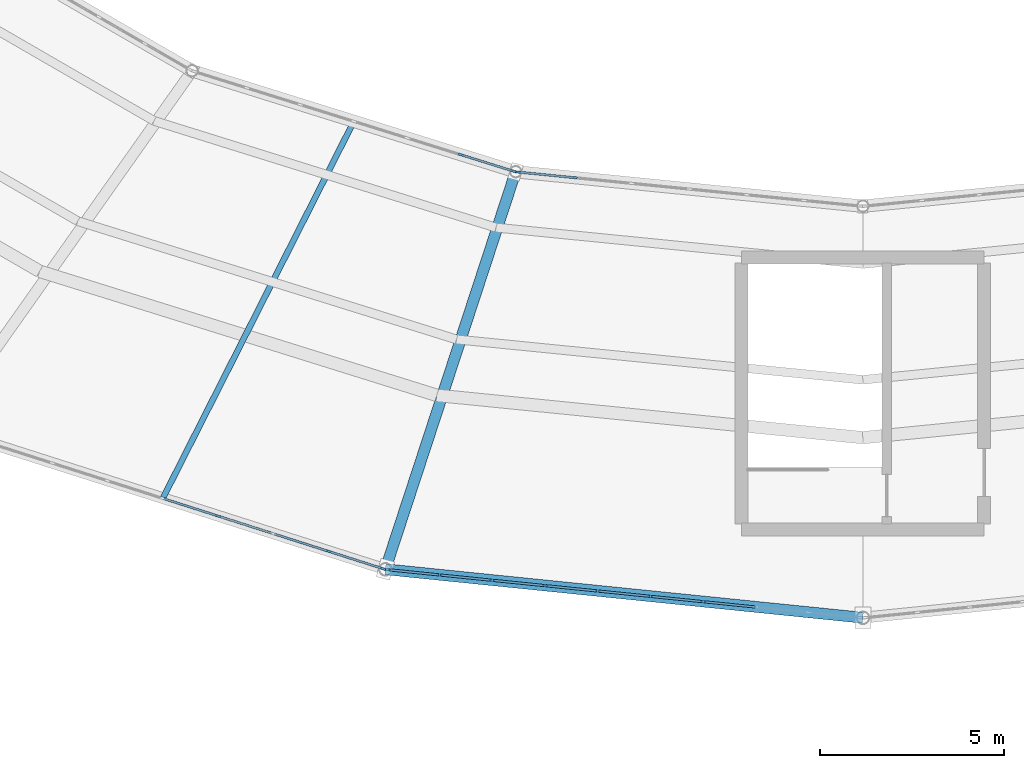
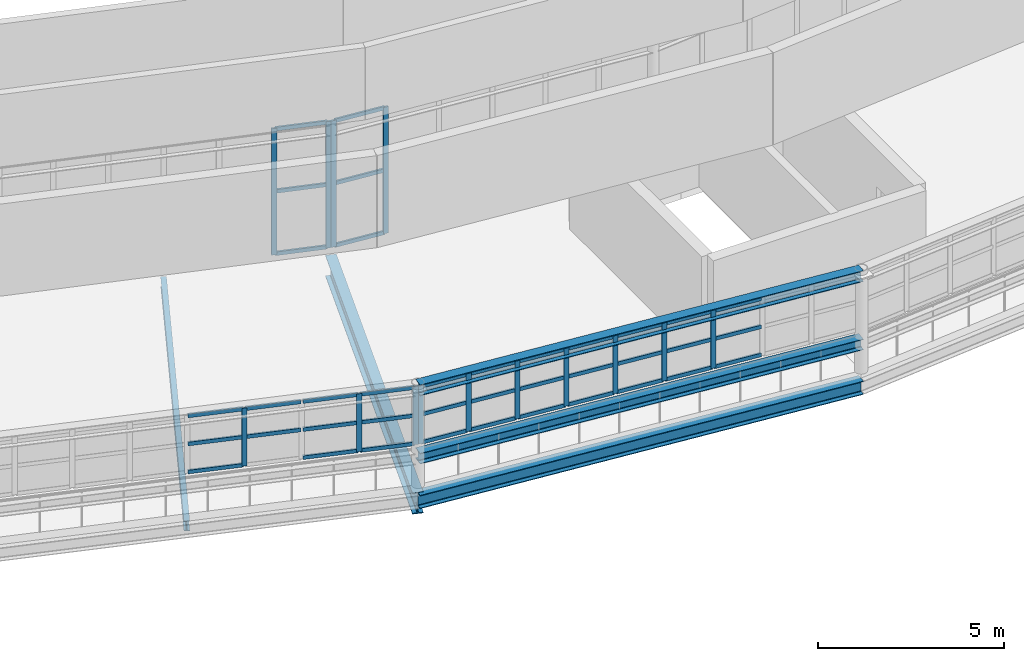
# One storey, part 34 of 123: 52 members, 5 beams, 4 elements without a shape of their own.
"""IFC4 building model written with IfcOpenShell, lengths in metres."""

from ifc_helpers import new_model, si_unit, direction, frame, origin, origin_2d, place, context, subcontext, project, spatial, rectangle, i_section, extrude, material, material_profile, profile_set, type_object, element, aggregate, save


model = new_model("IFC4")

# Units and contexts
model_context = context("Model", 3, precision=1e-05, world=origin(), true_north=direction((0.0, 1.0)))
body_context = subcontext(model_context, "Body", "Model", "MODEL_VIEW")
ifc_project = project(units=[si_unit("LENGTHUNIT", "METRE"), si_unit("AREAUNIT", "SQUARE_METRE"), si_unit("VOLUMEUNIT", "CUBIC_METRE"), si_unit("PLANEANGLEUNIT", "RADIAN"), si_unit("MASSUNIT", "GRAM", prefix="KILO")], contexts=[model_context])

# Site, building, storey
site_placement = place(None, origin())
site = spatial("IfcSite", under=ifc_project, at=site_placement, CompositionType="ELEMENT")
building_placement = place(site_placement, origin())
building = spatial("IfcBuilding", under=site, at=building_placement, Name="Kildeholm Park Wholesale Market", CompositionType="ELEMENT")
storey_placement = place(building_placement, frame((0.0, 0.0, 9.60009765625)))
storey = spatial("IfcBuildingStorey", under=building, at=storey_placement, Name="L02", CompositionType="ELEMENT", Elevation=9.60009765625)

# Beams
ifc_material_1 = material(Name="Steel S355", Category="steel")
ifc_material_profile_1 = material_profile(ifc_material_1, i_section(OverallWidth=0.300048828125, OverallDepth=0.699951171875, WebThickness=0.01708984375, FlangeThickness=0.031982421875, FilletRadius=0.027099609375, at=origin_2d()), Name="HEB 700")
ifc_profile_set_1 = profile_set([ifc_material_profile_1], Name="Steel S355")
beam_type_1 = type_object("IfcBeamType", Name="Beam B-G01 HEB 700", PredefinedType="BEAM", material=ifc_profile_set_1)
beam_1_placement = place(storey_placement, frame((89.552978515625, 62.93701171875, -0.60009765625), z_axis=(-0.31146940438, -0.950256181319, 0.0), x_axis=(0.950256181319, -0.31146940438, 0.0)))
element("IfcBeam", 1, at=beam_1_placement, inside=storey, type_object=beam_type_1, Name="Beam BM-V1-L02-R1-17 BM-0156", PredefinedType="BEAM", context=body_context, shape_type="SweptSolid", body=[
    extrude(i_section(OverallWidth=0.300048828125, OverallDepth=0.699951171875, WebThickness=0.01708984375, FlangeThickness=0.031982421875, FilletRadius=0.027099609375, at=origin_2d()), origin(), (0.0, 0.0, 1.0), 11.384521484375),
])
ifc_material_profile_2 = material_profile(ifc_material_1, i_section(OverallWidth=0.300048828125, OverallDepth=0.35009765625, WebThickness=0.010009765625, FlangeThickness=0.017578125, FilletRadius=0.027099609375, at=origin_2d()), Name="HEA 360")
ifc_profile_set_2 = profile_set([ifc_material_profile_2], Name="Steel S355")
beam_type_2 = type_object("IfcBeamType", Name="Beam B-R01 HEA 360", PredefinedType="BEAM", material=ifc_profile_set_2)
beam_2_placement = place(storey_placement, frame((86.007080078125, 52.118896484375, 0.947265625), z_axis=(0.994887827563, -0.100986189979, 0.0), x_axis=(0.100986189979, 0.994887827563, 0.0)))
element("IfcBeam", 2, at=beam_2_placement, inside=storey, type_object=beam_type_2, Name="Beam BM-V1-S1IN-17 BM-0323", PredefinedType="BEAM", context=body_context, shape_type="SweptSolid", body=[
    extrude(i_section(OverallWidth=0.300048828125, OverallDepth=0.35009765625, WebThickness=0.010009765625, FlangeThickness=0.017578125, FilletRadius=0.027099609375, at=origin_2d()), origin(), (0.0, 0.0, 1.0), 13.0595703125),
])
ifc_material_profile_3 = material_profile(ifc_material_1, i_section(OverallWidth=0.300048828125, OverallDepth=0.43994140625, WebThickness=0.011474609375, FlangeThickness=0.02099609375, FilletRadius=0.027099609375, at=origin_2d()), Name="HEA 450")
ifc_profile_set_3 = profile_set([ifc_material_profile_3], Name="Steel S355")
beam_type_3 = type_object("IfcBeamType", Name="Beam B-R02 HEA 450", PredefinedType="BEAM", material=ifc_profile_set_3)
beam_3_placement = place(storey_placement, frame((86.007080078125, 52.118896484375, -0.47412109375), z_axis=(0.994887827563, -0.100986189979, 0.0), x_axis=(0.100986189979, 0.994887827563, 0.0)))
element("IfcBeam", 3, at=beam_3_placement, inside=storey, type_object=beam_type_3, Name="Beam BM-V1-L02-CM-17 BM-0162", PredefinedType="BEAM", context=body_context, shape_type="SweptSolid", body=[
    extrude(i_section(OverallWidth=0.300048828125, OverallDepth=0.43994140625, WebThickness=0.011474609375, FlangeThickness=0.02099609375, FilletRadius=0.027099609375, at=origin_2d()), origin(), (0.0, 0.0, 1.0), 13.0595703125),
])
ifc_material_profile_4 = material_profile(ifc_material_1, i_section(OverallWidth=0.300048828125, OverallDepth=0.360107421875, WebThickness=0.012451171875, FlangeThickness=0.0224609375, FilletRadius=0.027099609375, at=origin_2d()), Name="HEB 360")
ifc_profile_set_4 = profile_set([ifc_material_profile_4], Name="Steel S355")
beam_type_4 = type_object("IfcBeamType", Name="Beam B-R03 HEB 360", PredefinedType="BEAM", material=ifc_profile_set_4)
beam_4_placement = place(storey_placement, frame((86.007080078125, 52.118896484375, 3.189453125), z_axis=(0.994887827563, -0.100986189979, 0.0), x_axis=(0.100986189979, 0.994887827563, 0.0)))
element("IfcBeam", 4, at=beam_4_placement, inside=storey, type_object=beam_type_4, Name="Beam BM-V1-RF-M1-17 BM-0324", PredefinedType="BEAM", context=body_context, shape_type="SweptSolid", body=[
    extrude(i_section(OverallWidth=0.300048828125, OverallDepth=0.360107421875, WebThickness=0.012451171875, FlangeThickness=0.0224609375, FilletRadius=0.027099609375, at=origin_2d()), origin(), (0.0, 0.0, 1.0), 13.0595703125),
])
ifc_material_profile_5 = material_profile(ifc_material_1, i_section(OverallWidth=0.159912109375, OverallDepth=0.330078125, WebThickness=0.007568359375, FlangeThickness=0.011474609375, FilletRadius=0.01806640625, at=origin_2d()), Name="IPE 330")
ifc_profile_set_5 = profile_set([ifc_material_profile_5], Name="Steel S355")
beam_type_5 = type_object("IfcBeamType", Name="Beam J-03 IPE 330", PredefinedType="JOIST", material=ifc_profile_set_5)
beam_5_placement = place(storey_placement, frame((85.142578125, 64.292724609375, -0.4150390625), z_axis=(-0.452004571782, -0.892015620428, 0.0), x_axis=(0.892015620428, -0.452004571782, 0.0)))
element("IfcBeam", 5, at=beam_5_placement, inside=storey, type_object=beam_type_5, Name="Beam JT-V1-L02-16 BM-0154", PredefinedType="JOIST", context=body_context, shape_type="SweptSolid", body=[
    extrude(i_section(OverallWidth=0.159912109375, OverallDepth=0.330078125, WebThickness=0.007568359375, FlangeThickness=0.011474609375, FilletRadius=0.01806640625, at=origin_2d()), origin(), (0.0, 0.0, 1.0), 11.46044921875),
])

# Curtain wall, members
ifc_material_2 = material(Name="Anodised aluminium and low-E double-glazed glass", Category="aluminium")
curtain_wall_type = type_object("IfcCurtainWallType", Name="Clerestory daylight stick curtain wall CW-02", PredefinedType="NOTDEFINED", material=ifc_material_2)
curtain_wall_1_placement = place(storey_placement, origin())
curtain_wall_1 = element("IfcCurtainWall", 6, at=curtain_wall_1_placement, inside=storey, type_object=curtain_wall_type, Name="Curtain wall CW-V1-CL-16 CW-0080", PredefinedType="NOTDEFINED")
ifc_material_3 = material(Name="Anodised aluminium", Category="aluminium")
ifc_material_profile_6 = material_profile(ifc_material_3, rectangle(XDim=0.06005859375, YDim=0.14990234375, at=origin_2d()), Name="CWM 60x150")
ifc_profile_set_6 = profile_set([ifc_material_profile_6], Name="Anodised aluminium")
member_type_1 = type_object("IfcMemberType", Name="Curtain-wall mullion CWM-3 CWM 60x150", PredefinedType="MULLION", material=ifc_profile_set_6)
member_1_placement = place(storey_placement, frame((81.455322265625, 53.56787109375, 1.349853515625), z_axis=(0.0, 0.0, 1.0), x_axis=(0.304206822997, 0.952606009241, 0.0)))
member_1 = element("IfcMember", 7, at=member_1_placement, type_object=member_type_1, Name="CW-02 mullion 6 MEM-2566", PredefinedType="MULLION", context=body_context, shape_type="SweptSolid", body=[
    extrude(rectangle(XDim=0.06005859375, YDim=0.14990234375, at=origin_2d()), origin(), (0.0, 0.0, 1.0), 1.900146484375),
])
member_2_placement = place(storey_placement, frame((84.463134765625, 52.607177734375, 1.349853515625), z_axis=(0.0, 0.0, 1.0), x_axis=(0.304206822997, 0.952606009241, 0.0)))
member_2 = element("IfcMember", 8, at=member_2_placement, type_object=member_type_1, Name="CW-02 mullion 8 MEM-2568", PredefinedType="MULLION", context=body_context, shape_type="SweptSolid", body=[
    extrude(rectangle(XDim=0.06005859375, YDim=0.14990234375, at=origin_2d()), origin(), (0.0, 0.0, 1.0), 1.900146484375),
])
member_3_placement = place(storey_placement, frame((85.9384765625, 52.13623046875, 1.349853515625), z_axis=(0.0, 0.0, 1.0), x_axis=(0.304206822997, 0.952606009241, 0.0)))
member_3 = element("IfcMember", 9, at=member_3_placement, type_object=member_type_1, Name="CW-02 mullion 9 MEM-2569", PredefinedType="MULLION", context=body_context, shape_type="SweptSolid", body=[
    extrude(rectangle(XDim=0.06005859375, YDim=0.14990234375, at=origin_2d()), origin(), (0.0, 0.0, 1.0), 1.900146484375),
])

curtain_wall_2_placement = place(storey_placement, origin())
curtain_wall_2 = element("IfcCurtainWall", 10, at=curtain_wall_2_placement, inside=storey, type_object=curtain_wall_type, Name="Curtain wall CW-V1-IN2-16 CW-0083", PredefinedType="NOTDEFINED")
member_4_placement = place(storey_placement, frame((88.05859375, 63.39892578125, 0.0), z_axis=(0.0, 0.0, 1.0), x_axis=(0.297957339818, 0.954579186683, 0.0)))
member_4 = element("IfcMember", 11, at=member_4_placement, type_object=member_type_1, Name="CW-02 mullion 6 MEM-2649", PredefinedType="MULLION", context=body_context, shape_type="SweptSolid", body=[
    extrude(rectangle(XDim=0.06005859375, YDim=0.14990234375, at=origin_2d()), origin(), (0.0, 0.0, 1.0), 4.14990234375),
])
member_5_placement = place(storey_placement, frame((89.484375, 62.953857421875, 0.0), z_axis=(0.0, 0.0, 1.0), x_axis=(0.297957339818, 0.954579186683, 0.0)))
member_5 = element("IfcMember", 12, at=member_5_placement, type_object=member_type_1, Name="CW-02 mullion 7 MEM-2650", PredefinedType="MULLION", context=body_context, shape_type="SweptSolid", body=[
    extrude(rectangle(XDim=0.06005859375, YDim=0.14990234375, at=origin_2d()), origin(), (0.0, 0.0, 1.0), 4.14990234375),
])

curtain_wall_3_placement = place(storey_placement, origin())
curtain_wall_3 = element("IfcCurtainWall", 13, at=curtain_wall_3_placement, inside=storey, type_object=curtain_wall_type, Name="Curtain wall CW-V1-CL-17 CW-0085", PredefinedType="NOTDEFINED")
member_6_placement = place(storey_placement, frame((86.075927734375, 52.10791015625, 1.349853515625), z_axis=(0.0, 0.0, 1.0), x_axis=(0.100998628351, 0.994886564926, 0.0)))
member_6 = element("IfcMember", 14, at=member_6_placement, type_object=member_type_1, Name="CW-02 mullion 1 MEM-2710", PredefinedType="MULLION", context=body_context, shape_type="SweptSolid", body=[
    extrude(rectangle(XDim=0.06005859375, YDim=0.14990234375, at=origin_2d()), origin(), (0.0, 0.0, 1.0), 1.900146484375),
])
member_7_placement = place(storey_placement, frame((87.48095703125, 51.96533203125, 1.349853515625), z_axis=(0.0, 0.0, 1.0), x_axis=(0.100998628351, 0.994886564926, 0.0)))
member_7 = element("IfcMember", 15, at=member_7_placement, type_object=member_type_1, Name="CW-02 mullion 2 MEM-2711", PredefinedType="MULLION", context=body_context, shape_type="SweptSolid", body=[
    extrude(rectangle(XDim=0.06005859375, YDim=0.14990234375, at=origin_2d()), origin(), (0.0, 0.0, 1.0), 1.900146484375),
])
member_8_placement = place(storey_placement, frame((88.915771484375, 51.819580078125, 1.349853515625), z_axis=(0.0, 0.0, 1.0), x_axis=(0.100998628351, 0.994886564926, 0.0)))
member_8 = element("IfcMember", 16, at=member_8_placement, type_object=member_type_1, Name="CW-02 mullion 3 MEM-2712", PredefinedType="MULLION", context=body_context, shape_type="SweptSolid", body=[
    extrude(rectangle(XDim=0.06005859375, YDim=0.14990234375, at=origin_2d()), origin(), (0.0, 0.0, 1.0), 1.900146484375),
])
member_9_placement = place(storey_placement, frame((90.3505859375, 51.674072265625, 1.349853515625), z_axis=(0.0, 0.0, 1.0), x_axis=(0.100998628351, 0.994886564926, 0.0)))
member_9 = element("IfcMember", 17, at=member_9_placement, type_object=member_type_1, Name="CW-02 mullion 4 MEM-2713", PredefinedType="MULLION", context=body_context, shape_type="SweptSolid", body=[
    extrude(rectangle(XDim=0.06005859375, YDim=0.14990234375, at=origin_2d()), origin(), (0.0, 0.0, 1.0), 1.900146484375),
])
member_10_placement = place(storey_placement, frame((91.78564453125, 51.5283203125, 1.349853515625), z_axis=(0.0, 0.0, 1.0), x_axis=(0.100998628351, 0.994886564926, 0.0)))
member_10 = element("IfcMember", 18, at=member_10_placement, type_object=member_type_1, Name="CW-02 mullion 5 MEM-2714", PredefinedType="MULLION", context=body_context, shape_type="SweptSolid", body=[
    extrude(rectangle(XDim=0.06005859375, YDim=0.14990234375, at=origin_2d()), origin(), (0.0, 0.0, 1.0), 1.900146484375),
])
member_11_placement = place(storey_placement, frame((93.220458984375, 51.382568359375, 1.349853515625), z_axis=(0.0, 0.0, 1.0), x_axis=(0.100998628351, 0.994886564926, 0.0)))
member_11 = element("IfcMember", 19, at=member_11_placement, type_object=member_type_1, Name="CW-02 mullion 6 MEM-2715", PredefinedType="MULLION", context=body_context, shape_type="SweptSolid", body=[
    extrude(rectangle(XDim=0.06005859375, YDim=0.14990234375, at=origin_2d()), origin(), (0.0, 0.0, 1.0), 1.900146484375),
])
member_12_placement = place(storey_placement, frame((94.6552734375, 51.237060546875, 1.349853515625), z_axis=(0.0, 0.0, 1.0), x_axis=(0.100998628351, 0.994886564926, 0.0)))
member_12 = element("IfcMember", 20, at=member_12_placement, type_object=member_type_1, Name="CW-02 mullion 7 MEM-2716", PredefinedType="MULLION", context=body_context, shape_type="SweptSolid", body=[
    extrude(rectangle(XDim=0.06005859375, YDim=0.14990234375, at=origin_2d()), origin(), (0.0, 0.0, 1.0), 1.900146484375),
])

curtain_wall_4_placement = place(storey_placement, origin())
curtain_wall_4 = element("IfcCurtainWall", 21, at=curtain_wall_4_placement, inside=storey, type_object=curtain_wall_type, Name="Curtain wall CW-V1-IN2-17 CW-0088", PredefinedType="NOTDEFINED")
member_13_placement = place(storey_placement, frame((89.621826171875, 62.926025390625, 0.0), z_axis=(0.0, 0.0, 1.0), x_axis=(0.098683331174, 0.995118887444, 0.0)))
member_13 = element("IfcMember", 22, at=member_13_placement, type_object=member_type_1, Name="CW-02 mullion 1 MEM-2797", PredefinedType="MULLION", context=body_context, shape_type="SweptSolid", body=[
    extrude(rectangle(XDim=0.06005859375, YDim=0.14990234375, at=origin_2d()), origin(), (0.0, 0.0, 1.0), 4.14990234375),
])
member_14_placement = place(storey_placement, frame((91.1533203125, 62.774169921875, 0.0), z_axis=(0.0, 0.0, 1.0), x_axis=(0.098683331174, 0.995118887444, 0.0)))
member_14 = element("IfcMember", 23, at=member_14_placement, type_object=member_type_1, Name="CW-02 mullion 2 MEM-2798", PredefinedType="MULLION", context=body_context, shape_type="SweptSolid", body=[
    extrude(rectangle(XDim=0.06005859375, YDim=0.14990234375, at=origin_2d()), origin(), (0.0, 0.0, 1.0), 4.14990234375),
])

# Member
ifc_material_profile_7 = material_profile(ifc_material_3, rectangle(XDim=0.06005859375, YDim=0.1201171875, at=origin_2d()), Name="CWT 60x120")
ifc_profile_set_7 = profile_set([ifc_material_profile_7], Name="Anodised aluminium")
member_type_2 = type_object("IfcMemberType", Name="Curtain-wall transom CWT-3 CWT 60x120", PredefinedType="USERDEFINED", material=ifc_profile_set_7)
member_15_placement = place(storey_placement, frame((79.97998046875, 54.038818359375, 1.3798828125), z_axis=(0.952625522419, -0.304145711849, 0.0), x_axis=(0.304145711849, 0.952625522419, 0.0)))
member_15 = element("IfcMember", 24, at=member_15_placement, type_object=member_type_2, Name="CW-02 transom 5.1 MEM-2582", ObjectType="TRANSOM", PredefinedType="USERDEFINED", context=body_context, shape_type="SweptSolid", body=[
    extrude(rectangle(XDim=0.06005859375, YDim=0.1201171875, at=origin_2d()), origin(), (0.0, 0.0, 1.0), 1.518798828125),
])

member_16_placement = place(storey_placement, frame((79.97998046875, 54.038818359375, 2.2998046875), z_axis=(0.952625522419, -0.304145711849, 0.0), x_axis=(0.304145711849, 0.952625522419, 0.0)))
member_16 = element("IfcMember", 25, at=member_16_placement, type_object=member_type_2, Name="CW-02 transom 5.2 MEM-2583", ObjectType="TRANSOM", PredefinedType="USERDEFINED", context=body_context, shape_type="SweptSolid", body=[
    extrude(rectangle(XDim=0.06005859375, YDim=0.1201171875, at=origin_2d()), origin(), (0.0, 0.0, 1.0), 1.518798828125),
])

member_17_placement = place(storey_placement, frame((79.97998046875, 54.038818359375, 3.219970703125), z_axis=(0.952625522419, -0.304145711849, 0.0), x_axis=(0.304145711849, 0.952625522419, 0.0)))
member_17 = element("IfcMember", 26, at=member_17_placement, type_object=member_type_2, Name="CW-02 transom 5.3 MEM-2584", ObjectType="TRANSOM", PredefinedType="USERDEFINED", context=body_context, shape_type="SweptSolid", body=[
    extrude(rectangle(XDim=0.06005859375, YDim=0.1201171875, at=origin_2d()), origin(), (0.0, 0.0, 1.0), 1.518798828125),
])

member_18_placement = place(storey_placement, frame((81.48388671875, 53.55859375, 2.2998046875), z_axis=(0.952625522419, -0.304145711849, 0.0), x_axis=(0.304145711849, 0.952625522419, 0.0)))
member_18 = element("IfcMember", 27, at=member_18_placement, type_object=member_type_2, Name="CW-02 transom 6.2 MEM-2586", ObjectType="TRANSOM", PredefinedType="USERDEFINED", context=body_context, shape_type="SweptSolid", body=[
    extrude(rectangle(XDim=0.06005859375, YDim=0.1201171875, at=origin_2d()), origin(), (0.0, 0.0, 1.0), 1.518798828125),
])

member_19_placement = place(storey_placement, frame((81.48388671875, 53.55859375, 3.219970703125), z_axis=(0.952625522419, -0.304145711849, 0.0), x_axis=(0.304145711849, 0.952625522419, 0.0)))
member_19 = element("IfcMember", 28, at=member_19_placement, type_object=member_type_2, Name="CW-02 transom 6.3 MEM-2587", ObjectType="TRANSOM", PredefinedType="USERDEFINED", context=body_context, shape_type="SweptSolid", body=[
    extrude(rectangle(XDim=0.06005859375, YDim=0.1201171875, at=origin_2d()), origin(), (0.0, 0.0, 1.0), 1.518798828125),
])

member_20_placement = place(storey_placement, frame((82.98779296875, 53.078369140625, 1.3798828125), z_axis=(0.952625522419, -0.304145711849, 0.0), x_axis=(0.304145711849, 0.952625522419, 0.0)))
member_20 = element("IfcMember", 29, at=member_20_placement, type_object=member_type_2, Name="CW-02 transom 7.1 MEM-2588", ObjectType="TRANSOM", PredefinedType="USERDEFINED", context=body_context, shape_type="SweptSolid", body=[
    extrude(rectangle(XDim=0.06005859375, YDim=0.1201171875, at=origin_2d()), origin(), (0.0, 0.0, 1.0), 1.518798828125),
])

member_21_placement = place(storey_placement, frame((82.98779296875, 53.078369140625, 2.2998046875), z_axis=(0.952625522419, -0.304145711849, 0.0), x_axis=(0.304145711849, 0.952625522419, 0.0)))
member_21 = element("IfcMember", 30, at=member_21_placement, type_object=member_type_2, Name="CW-02 transom 7.2 MEM-2589", ObjectType="TRANSOM", PredefinedType="USERDEFINED", context=body_context, shape_type="SweptSolid", body=[
    extrude(rectangle(XDim=0.06005859375, YDim=0.1201171875, at=origin_2d()), origin(), (0.0, 0.0, 1.0), 1.518798828125),
])

member_22_placement = place(storey_placement, frame((82.98779296875, 53.078369140625, 3.219970703125), z_axis=(0.952625522419, -0.304145711849, 0.0), x_axis=(0.304145711849, 0.952625522419, 0.0)))
member_22 = element("IfcMember", 31, at=member_22_placement, type_object=member_type_2, Name="CW-02 transom 7.3 MEM-2590", ObjectType="TRANSOM", PredefinedType="USERDEFINED", context=body_context, shape_type="SweptSolid", body=[
    extrude(rectangle(XDim=0.06005859375, YDim=0.1201171875, at=origin_2d()), origin(), (0.0, 0.0, 1.0), 1.518798828125),
])

member_23_placement = place(storey_placement, frame((84.49169921875, 52.59814453125, 1.3798828125), z_axis=(0.952608667533, -0.304198498584, 0.0), x_axis=(0.304198498584, 0.952608667533, 0.0)))
member_23 = element("IfcMember", 32, at=member_23_placement, type_object=member_type_2, Name="CW-02 transom 8.1 MEM-2591", ObjectType="TRANSOM", PredefinedType="USERDEFINED", context=body_context, shape_type="SweptSolid", body=[
    extrude(rectangle(XDim=0.06005859375, YDim=0.1201171875, at=origin_2d()), origin(), (0.0, 0.0, 1.0), 1.48876953125),
])

member_24_placement = place(storey_placement, frame((84.49169921875, 52.59814453125, 2.2998046875), z_axis=(0.952608667533, -0.304198498584, 0.0), x_axis=(0.304198498584, 0.952608667533, 0.0)))
member_24 = element("IfcMember", 33, at=member_24_placement, type_object=member_type_2, Name="CW-02 transom 8.2 MEM-2592", ObjectType="TRANSOM", PredefinedType="USERDEFINED", context=body_context, shape_type="SweptSolid", body=[
    extrude(rectangle(XDim=0.06005859375, YDim=0.1201171875, at=origin_2d()), origin(), (0.0, 0.0, 1.0), 1.48876953125),
])

member_25_placement = place(storey_placement, frame((84.49169921875, 52.59814453125, 3.219970703125), z_axis=(0.952608667533, -0.304198498584, 0.0), x_axis=(0.304198498584, 0.952608667533, 0.0)))
member_25 = element("IfcMember", 34, at=member_25_placement, type_object=member_type_2, Name="CW-02 transom 8.3 MEM-2593", ObjectType="TRANSOM", PredefinedType="USERDEFINED", context=body_context, shape_type="SweptSolid", body=[
    extrude(rectangle(XDim=0.06005859375, YDim=0.1201171875, at=origin_2d()), origin(), (0.0, 0.0, 1.0), 1.48876953125),
])

aggregate(curtain_wall_1, [member_1, member_2, member_3, member_15, member_16, member_17, member_18, member_19, member_20, member_21, member_22, member_23, member_24, member_25])

member_26_placement = place(storey_placement, frame((88.087158203125, 63.39013671875, 0.02978515625), z_axis=(0.954570828719, -0.29798411528, 0.0), x_axis=(0.29798411528, 0.954570828719, 0.0)))
member_26 = element("IfcMember", 35, at=member_26_placement, type_object=member_type_2, Name="CW-02 transom 6.1 MEM-2666", ObjectType="TRANSOM", PredefinedType="USERDEFINED", context=body_context, shape_type="SweptSolid", body=[
    extrude(rectangle(XDim=0.06005859375, YDim=0.1201171875, at=origin_2d()), origin(), (0.0, 0.0, 1.0), 1.433837890625),
])

member_27_placement = place(storey_placement, frame((88.087158203125, 63.39013671875, 2.074951171875), z_axis=(0.954570828719, -0.29798411528, 0.0), x_axis=(0.29798411528, 0.954570828719, 0.0)))
member_27 = element("IfcMember", 36, at=member_27_placement, type_object=member_type_2, Name="CW-02 transom 6.2 MEM-2667", ObjectType="TRANSOM", PredefinedType="USERDEFINED", context=body_context, shape_type="SweptSolid", body=[
    extrude(rectangle(XDim=0.06005859375, YDim=0.1201171875, at=origin_2d()), origin(), (0.0, 0.0, 1.0), 1.433837890625),
])

member_28_placement = place(storey_placement, frame((88.087158203125, 63.39013671875, 4.119873046875), z_axis=(0.954570828719, -0.29798411528, 0.0), x_axis=(0.29798411528, 0.954570828719, 0.0)))
member_28 = element("IfcMember", 37, at=member_28_placement, type_object=member_type_2, Name="CW-02 transom 6.3 MEM-2668", ObjectType="TRANSOM", PredefinedType="USERDEFINED", context=body_context, shape_type="SweptSolid", body=[
    extrude(rectangle(XDim=0.06005859375, YDim=0.1201171875, at=origin_2d()), origin(), (0.0, 0.0, 1.0), 1.433837890625),
])

aggregate(curtain_wall_2, [member_4, member_5, member_26, member_27, member_28])

member_29_placement = place(storey_placement, frame((86.105712890625, 52.10498046875, 1.3798828125), z_axis=(0.994874996086, -0.101112522288, 0.0), x_axis=(0.101112522288, 0.994874996086, 0.0)))
member_29 = element("IfcMember", 38, at=member_29_placement, type_object=member_type_2, Name="CW-02 transom 1.1 MEM-2720", ObjectType="TRANSOM", PredefinedType="USERDEFINED", context=body_context, shape_type="SweptSolid", body=[
    extrude(rectangle(XDim=0.06005859375, YDim=0.1201171875, at=origin_2d()), origin(), (0.0, 0.0, 1.0), 1.35205078125),
])

member_30_placement = place(storey_placement, frame((86.105712890625, 52.10498046875, 2.2998046875), z_axis=(0.994874996086, -0.101112522288, 0.0), x_axis=(0.101112522288, 0.994874996086, 0.0)))
member_30 = element("IfcMember", 39, at=member_30_placement, type_object=member_type_2, Name="CW-02 transom 1.2 MEM-2721", ObjectType="TRANSOM", PredefinedType="USERDEFINED", context=body_context, shape_type="SweptSolid", body=[
    extrude(rectangle(XDim=0.06005859375, YDim=0.1201171875, at=origin_2d()), origin(), (0.0, 0.0, 1.0), 1.35205078125),
])

member_31_placement = place(storey_placement, frame((86.105712890625, 52.10498046875, 3.219970703125), z_axis=(0.994874996086, -0.101112522288, 0.0), x_axis=(0.101112522288, 0.994874996086, 0.0)))
member_31 = element("IfcMember", 40, at=member_31_placement, type_object=member_type_2, Name="CW-02 transom 1.3 MEM-2722", ObjectType="TRANSOM", PredefinedType="USERDEFINED", context=body_context, shape_type="SweptSolid", body=[
    extrude(rectangle(XDim=0.06005859375, YDim=0.1201171875, at=origin_2d()), origin(), (0.0, 0.0, 1.0), 1.35205078125),
])

member_32_placement = place(storey_placement, frame((87.5107421875, 51.96240234375, 1.3798828125), z_axis=(0.994883891691, -0.10102495758, 0.0), x_axis=(0.10102495758, 0.994883891691, 0.0)))
member_32 = element("IfcMember", 41, at=member_32_placement, type_object=member_type_2, Name="CW-02 transom 2.1 MEM-2723", ObjectType="TRANSOM", PredefinedType="USERDEFINED", context=body_context, shape_type="SweptSolid", body=[
    extrude(rectangle(XDim=0.06005859375, YDim=0.1201171875, at=origin_2d()), origin(), (0.0, 0.0, 1.0), 1.38232421875),
])

member_33_placement = place(storey_placement, frame((87.5107421875, 51.96240234375, 2.2998046875), z_axis=(0.994883891691, -0.10102495758, 0.0), x_axis=(0.10102495758, 0.994883891691, 0.0)))
member_33 = element("IfcMember", 42, at=member_33_placement, type_object=member_type_2, Name="CW-02 transom 2.2 MEM-2724", ObjectType="TRANSOM", PredefinedType="USERDEFINED", context=body_context, shape_type="SweptSolid", body=[
    extrude(rectangle(XDim=0.06005859375, YDim=0.1201171875, at=origin_2d()), origin(), (0.0, 0.0, 1.0), 1.38232421875),
])

member_34_placement = place(storey_placement, frame((87.5107421875, 51.96240234375, 3.219970703125), z_axis=(0.994883891691, -0.10102495758, 0.0), x_axis=(0.10102495758, 0.994883891691, 0.0)))
member_34 = element("IfcMember", 43, at=member_34_placement, type_object=member_type_2, Name="CW-02 transom 2.3 MEM-2725", ObjectType="TRANSOM", PredefinedType="USERDEFINED", context=body_context, shape_type="SweptSolid", body=[
    extrude(rectangle(XDim=0.06005859375, YDim=0.1201171875, at=origin_2d()), origin(), (0.0, 0.0, 1.0), 1.38232421875),
])

member_35_placement = place(storey_placement, frame((88.945556640625, 51.816650390625, 1.3798828125), z_axis=(0.994883891691, -0.10102495758, 0.0), x_axis=(0.10102495758, 0.994883891691, 0.0)))
member_35 = element("IfcMember", 44, at=member_35_placement, type_object=member_type_2, Name="CW-02 transom 3.1 MEM-2726", ObjectType="TRANSOM", PredefinedType="USERDEFINED", context=body_context, shape_type="SweptSolid", body=[
    extrude(rectangle(XDim=0.06005859375, YDim=0.1201171875, at=origin_2d()), origin(), (0.0, 0.0, 1.0), 1.38232421875),
])

member_36_placement = place(storey_placement, frame((88.945556640625, 51.816650390625, 2.2998046875), z_axis=(0.994883891691, -0.10102495758, 0.0), x_axis=(0.10102495758, 0.994883891691, 0.0)))
member_36 = element("IfcMember", 45, at=member_36_placement, type_object=member_type_2, Name="CW-02 transom 3.2 MEM-2727", ObjectType="TRANSOM", PredefinedType="USERDEFINED", context=body_context, shape_type="SweptSolid", body=[
    extrude(rectangle(XDim=0.06005859375, YDim=0.1201171875, at=origin_2d()), origin(), (0.0, 0.0, 1.0), 1.38232421875),
])

member_37_placement = place(storey_placement, frame((88.945556640625, 51.816650390625, 3.219970703125), z_axis=(0.994883891691, -0.10102495758, 0.0), x_axis=(0.10102495758, 0.994883891691, 0.0)))
member_37 = element("IfcMember", 46, at=member_37_placement, type_object=member_type_2, Name="CW-02 transom 3.3 MEM-2728", ObjectType="TRANSOM", PredefinedType="USERDEFINED", context=body_context, shape_type="SweptSolid", body=[
    extrude(rectangle(XDim=0.06005859375, YDim=0.1201171875, at=origin_2d()), origin(), (0.0, 0.0, 1.0), 1.38232421875),
])

member_38_placement = place(storey_placement, frame((90.380615234375, 51.6708984375, 1.3798828125), z_axis=(0.994882088655, -0.101042712129, 0.0), x_axis=(0.101042712129, 0.994882088655, 0.0)))
member_38 = element("IfcMember", 47, at=member_38_placement, type_object=member_type_2, Name="CW-02 transom 4.1 MEM-2729", ObjectType="TRANSOM", PredefinedType="USERDEFINED", context=body_context, shape_type="SweptSolid", body=[
    extrude(rectangle(XDim=0.06005859375, YDim=0.1201171875, at=origin_2d()), origin(), (0.0, 0.0, 1.0), 1.382080078125),
])

member_39_placement = place(storey_placement, frame((90.380615234375, 51.6708984375, 2.2998046875), z_axis=(0.994882088655, -0.101042712129, 0.0), x_axis=(0.101042712129, 0.994882088655, 0.0)))
member_39 = element("IfcMember", 48, at=member_39_placement, type_object=member_type_2, Name="CW-02 transom 4.2 MEM-2730", ObjectType="TRANSOM", PredefinedType="USERDEFINED", context=body_context, shape_type="SweptSolid", body=[
    extrude(rectangle(XDim=0.06005859375, YDim=0.1201171875, at=origin_2d()), origin(), (0.0, 0.0, 1.0), 1.382080078125),
])

member_40_placement = place(storey_placement, frame((90.380615234375, 51.6708984375, 3.219970703125), z_axis=(0.994882088655, -0.101042712129, 0.0), x_axis=(0.101042712129, 0.994882088655, 0.0)))
member_40 = element("IfcMember", 49, at=member_40_placement, type_object=member_type_2, Name="CW-02 transom 4.3 MEM-2731", ObjectType="TRANSOM", PredefinedType="USERDEFINED", context=body_context, shape_type="SweptSolid", body=[
    extrude(rectangle(XDim=0.06005859375, YDim=0.1201171875, at=origin_2d()), origin(), (0.0, 0.0, 1.0), 1.382080078125),
])

member_41_placement = place(storey_placement, frame((91.8154296875, 51.525390625, 1.3798828125), z_axis=(0.994883891691, -0.10102495758, 0.0), x_axis=(0.10102495758, 0.994883891691, 0.0)))
member_41 = element("IfcMember", 50, at=member_41_placement, type_object=member_type_2, Name="CW-02 transom 5.1 MEM-2732", ObjectType="TRANSOM", PredefinedType="USERDEFINED", context=body_context, shape_type="SweptSolid", body=[
    extrude(rectangle(XDim=0.06005859375, YDim=0.1201171875, at=origin_2d()), origin(), (0.0, 0.0, 1.0), 1.38232421875),
])

member_42_placement = place(storey_placement, frame((91.8154296875, 51.525390625, 2.2998046875), z_axis=(0.994883891691, -0.10102495758, 0.0), x_axis=(0.10102495758, 0.994883891691, 0.0)))
member_42 = element("IfcMember", 51, at=member_42_placement, type_object=member_type_2, Name="CW-02 transom 5.2 MEM-2733", ObjectType="TRANSOM", PredefinedType="USERDEFINED", context=body_context, shape_type="SweptSolid", body=[
    extrude(rectangle(XDim=0.06005859375, YDim=0.1201171875, at=origin_2d()), origin(), (0.0, 0.0, 1.0), 1.38232421875),
])

member_43_placement = place(storey_placement, frame((91.8154296875, 51.525390625, 3.219970703125), z_axis=(0.994883891691, -0.10102495758, 0.0), x_axis=(0.10102495758, 0.994883891691, 0.0)))
member_43 = element("IfcMember", 52, at=member_43_placement, type_object=member_type_2, Name="CW-02 transom 5.3 MEM-2734", ObjectType="TRANSOM", PredefinedType="USERDEFINED", context=body_context, shape_type="SweptSolid", body=[
    extrude(rectangle(XDim=0.06005859375, YDim=0.1201171875, at=origin_2d()), origin(), (0.0, 0.0, 1.0), 1.38232421875),
])

member_44_placement = place(storey_placement, frame((93.250244140625, 51.379638671875, 1.3798828125), z_axis=(0.994883891691, -0.10102495758, 0.0), x_axis=(0.10102495758, 0.994883891691, 0.0)))
member_44 = element("IfcMember", 53, at=member_44_placement, type_object=member_type_2, Name="CW-02 transom 6.1 MEM-2735", ObjectType="TRANSOM", PredefinedType="USERDEFINED", context=body_context, shape_type="SweptSolid", body=[
    extrude(rectangle(XDim=0.06005859375, YDim=0.1201171875, at=origin_2d()), origin(), (0.0, 0.0, 1.0), 1.38232421875),
])

member_45_placement = place(storey_placement, frame((93.250244140625, 51.379638671875, 2.2998046875), z_axis=(0.994883891691, -0.10102495758, 0.0), x_axis=(0.10102495758, 0.994883891691, 0.0)))
member_45 = element("IfcMember", 54, at=member_45_placement, type_object=member_type_2, Name="CW-02 transom 6.2 MEM-2736", ObjectType="TRANSOM", PredefinedType="USERDEFINED", context=body_context, shape_type="SweptSolid", body=[
    extrude(rectangle(XDim=0.06005859375, YDim=0.1201171875, at=origin_2d()), origin(), (0.0, 0.0, 1.0), 1.38232421875),
])

member_46_placement = place(storey_placement, frame((93.250244140625, 51.379638671875, 3.219970703125), z_axis=(0.994883891691, -0.10102495758, 0.0), x_axis=(0.10102495758, 0.994883891691, 0.0)))
member_46 = element("IfcMember", 55, at=member_46_placement, type_object=member_type_2, Name="CW-02 transom 6.3 MEM-2737", ObjectType="TRANSOM", PredefinedType="USERDEFINED", context=body_context, shape_type="SweptSolid", body=[
    extrude(rectangle(XDim=0.06005859375, YDim=0.1201171875, at=origin_2d()), origin(), (0.0, 0.0, 1.0), 1.38232421875),
])

member_47_placement = place(storey_placement, frame((94.68505859375, 51.23388671875, 1.3798828125), z_axis=(0.994901628094, -0.100850138406, 0.0), x_axis=(0.100850138406, 0.994901628094, 0.0)))
member_47 = element("IfcMember", 56, at=member_47_placement, type_object=member_type_2, Name="CW-02 transom 7.1 MEM-2738", ObjectType="TRANSOM", PredefinedType="USERDEFINED", context=body_context, shape_type="SweptSolid", body=[
    extrude(rectangle(XDim=0.06005859375, YDim=0.1201171875, at=origin_2d()), origin(), (0.0, 0.0, 1.0), 1.38232421875),
])

member_48_placement = place(storey_placement, frame((94.68505859375, 51.23388671875, 2.2998046875), z_axis=(0.994901628094, -0.100850138406, 0.0), x_axis=(0.100850138406, 0.994901628094, 0.0)))
member_48 = element("IfcMember", 57, at=member_48_placement, type_object=member_type_2, Name="CW-02 transom 7.2 MEM-2739", ObjectType="TRANSOM", PredefinedType="USERDEFINED", context=body_context, shape_type="SweptSolid", body=[
    extrude(rectangle(XDim=0.06005859375, YDim=0.1201171875, at=origin_2d()), origin(), (0.0, 0.0, 1.0), 1.38232421875),
])

member_49_placement = place(storey_placement, frame((94.68505859375, 51.23388671875, 3.219970703125), z_axis=(0.994901628094, -0.100850138406, 0.0), x_axis=(0.100850138406, 0.994901628094, 0.0)))
member_49 = element("IfcMember", 58, at=member_49_placement, type_object=member_type_2, Name="CW-02 transom 7.3 MEM-2740", ObjectType="TRANSOM", PredefinedType="USERDEFINED", context=body_context, shape_type="SweptSolid", body=[
    extrude(rectangle(XDim=0.06005859375, YDim=0.1201171875, at=origin_2d()), origin(), (0.0, 0.0, 1.0), 1.38232421875),
])

aggregate(curtain_wall_3, [member_6, member_7, member_8, member_9, member_10, member_11, member_12, member_29, member_30, member_31, member_32, member_33, member_34, member_35, member_36, member_37, member_38, member_39, member_40, member_41, member_42, member_43, member_44, member_45, member_46, member_47, member_48, member_49])

member_50_placement = place(storey_placement, frame((89.651611328125, 62.923095703125, 0.02978515625), z_axis=(0.995116944217, -0.098702924638, 0.0), x_axis=(0.098702924638, 0.995116944217, 0.0)))
member_50 = element("IfcMember", 59, at=member_50_placement, type_object=member_type_2, Name="CW-02 transom 1.1 MEM-2804", ObjectType="TRANSOM", PredefinedType="USERDEFINED", context=body_context, shape_type="SweptSolid", body=[
    extrude(rectangle(XDim=0.06005859375, YDim=0.1201171875, at=origin_2d()), origin(), (0.0, 0.0, 1.0), 1.479248046875),
])

member_51_placement = place(storey_placement, frame((89.651611328125, 62.923095703125, 2.074951171875), z_axis=(0.995116944217, -0.098702924638, 0.0), x_axis=(0.098702924638, 0.995116944217, 0.0)))
member_51 = element("IfcMember", 60, at=member_51_placement, type_object=member_type_2, Name="CW-02 transom 1.2 MEM-2805", ObjectType="TRANSOM", PredefinedType="USERDEFINED", context=body_context, shape_type="SweptSolid", body=[
    extrude(rectangle(XDim=0.06005859375, YDim=0.1201171875, at=origin_2d()), origin(), (0.0, 0.0, 1.0), 1.479248046875),
])

member_52_placement = place(storey_placement, frame((89.651611328125, 62.923095703125, 4.119873046875), z_axis=(0.995116944217, -0.098702924638, 0.0), x_axis=(0.098702924638, 0.995116944217, 0.0)))
member_52 = element("IfcMember", 61, at=member_52_placement, type_object=member_type_2, Name="CW-02 transom 1.3 MEM-2806", ObjectType="TRANSOM", PredefinedType="USERDEFINED", context=body_context, shape_type="SweptSolid", body=[
    extrude(rectangle(XDim=0.06005859375, YDim=0.1201171875, at=origin_2d()), origin(), (0.0, 0.0, 1.0), 1.479248046875),
])

aggregate(curtain_wall_4, [member_13, member_14, member_50, member_51, member_52])

save(model, "model.ifc")
